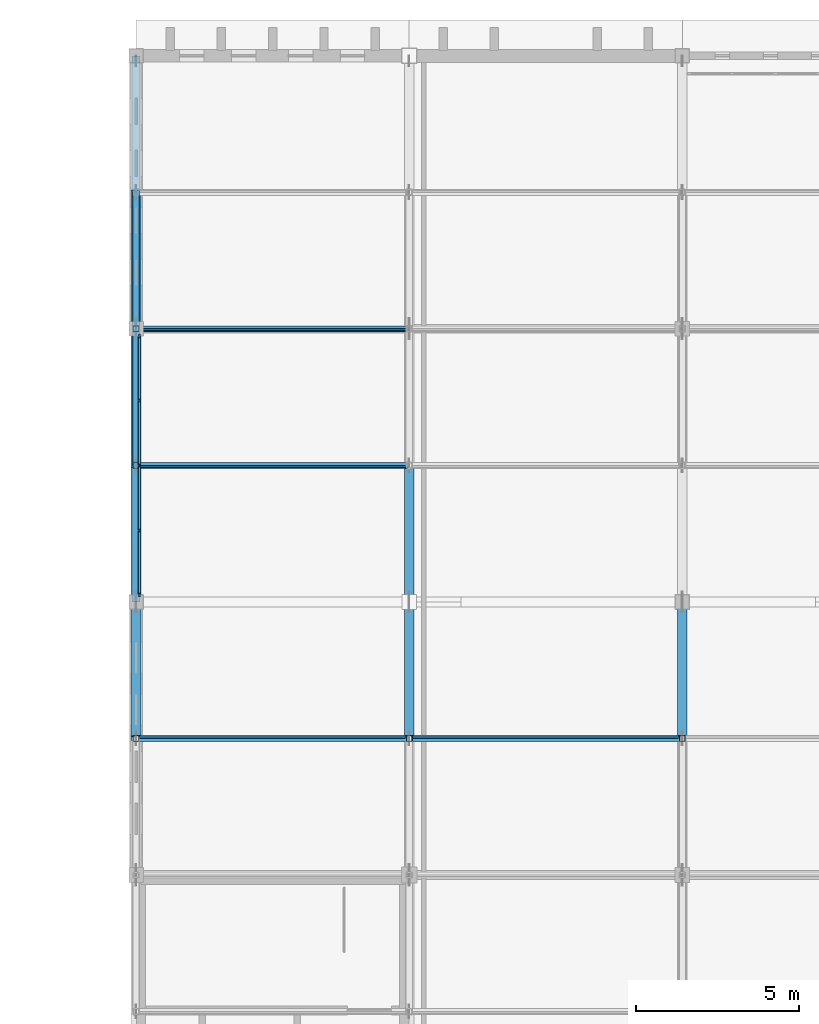
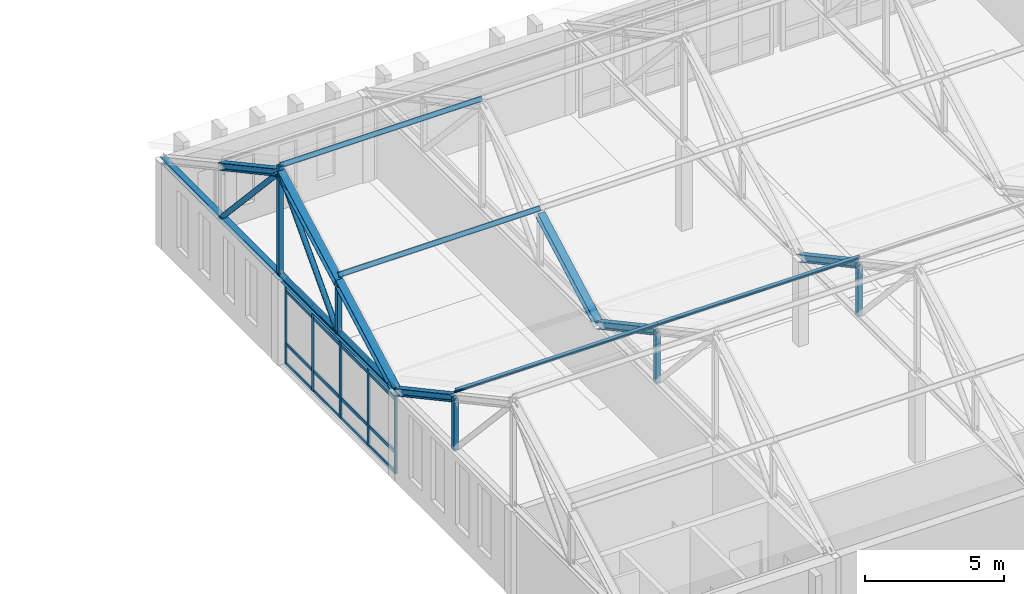
# One storey, part 28 of 110: 40 members, 1 element without a shape of its own.
"""IFC4 building model written with IfcOpenShell, lengths in metres."""

from ifc_helpers import new_model, si_unit, direction, frame, origin, origin_2d, place, context, subcontext, project, spatial, rectangle, hollow_rectangle, hollow_circle, i_section, extrude, material, layer, layer_set, material_profile, profile_set, type_object, element, aggregate, save


model = new_model("IFC4")

# Units and contexts
model_context = context("Model", 3, precision=1e-05, world=origin(), true_north=direction((0.0, 1.0)))
body_context = subcontext(model_context, "Body", "Model", "MODEL_VIEW")
ifc_project = project(units=[si_unit("LENGTHUNIT", "METRE"), si_unit("AREAUNIT", "SQUARE_METRE"), si_unit("VOLUMEUNIT", "CUBIC_METRE"), si_unit("PLANEANGLEUNIT", "RADIAN"), si_unit("MASSUNIT", "GRAM", prefix="KILO")], contexts=[model_context])

# Site, building, storey
site_placement = place(None, origin())
site = spatial("IfcSite", under=ifc_project, at=site_placement, CompositionType="ELEMENT")
building_placement = place(site_placement, origin())
building = spatial("IfcBuilding", under=site, at=building_placement, Name="Kveldsbrygga Polytechnic", CompositionType="ELEMENT")
storey_placement = place(building_placement, frame((0.0, 0.0, 9.860107421875)))
storey = spatial("IfcBuildingStorey", under=building, at=storey_placement, Name="L02", CompositionType="ELEMENT", Elevation=9.860107421875)

# Curtain wall, members
ifc_material_1 = material(Name="Anodised aluminium AW-6060", Category="aluminium")
ifc_layer = layer(ifc_material_1, 0.199951171875)
ifc_layer_set = layer_set([ifc_layer], Name="Anodised aluminium AW-6060")
curtain_wall_type = type_object("IfcCurtainWallType", Name="CW-LANC-E", PredefinedType="USERDEFINED", material=ifc_layer_set)
curtain_wall_placement = place(storey_placement, origin())
curtain_wall = element("IfcCurtainWall", 1, at=curtain_wall_placement, inside=storey, type_object=curtain_wall_type, Name="Curtain Wall CW-L02-Y-05-12", ObjectType="UNITISED CURTAIN WALL", PredefinedType="USERDEFINED")
ifc_material_profile_1 = material_profile(ifc_material_1, rectangle(XDim=0.06005859375, YDim=0.139892578125, at=origin_2d()), Name="ALU 60x140")
ifc_profile_set_1 = profile_set([ifc_material_profile_1], Name="Anodised aluminium AW-6060")
member_type_1 = type_object("IfcMemberType", Name="CW-MUL-140", PredefinedType="MULLION", material=ifc_profile_set_1)
member_1_placement = place(storey_placement, frame((42.10009765625, 101.02490234375, 0.0), z_axis=(0.0, 0.0, 1.0), x_axis=(-1.0, 0.0, 0.0)))
member_1 = element("IfcMember", 2, at=member_1_placement, type_object=member_type_1, Name="CW-05 mullion 1", PredefinedType="MULLION", context=body_context, shape_type="SweptSolid", body=[
    extrude(rectangle(XDim=0.06005859375, YDim=0.139892578125, at=origin_2d()), origin(), (0.0, 0.0, 1.0), 3.77978515625),
])
member_2_placement = place(storey_placement, frame((42.10009765625, 102.99365234375, 0.0), z_axis=(0.0, 0.0, 1.0), x_axis=(-1.0, 0.0, 0.0)))
member_2 = element("IfcMember", 3, at=member_2_placement, type_object=member_type_1, Name="CW-05 mullion 2", PredefinedType="MULLION", context=body_context, shape_type="SweptSolid", body=[
    extrude(rectangle(XDim=0.06005859375, YDim=0.139892578125, at=origin_2d()), origin(), (0.0, 0.0, 1.0), 3.77978515625),
])
member_3_placement = place(storey_placement, frame((42.10009765625, 104.992431640625, 0.0), z_axis=(0.0, 0.0, 1.0), x_axis=(-1.0, 0.0, 0.0)))
member_3 = element("IfcMember", 4, at=member_3_placement, type_object=member_type_1, Name="CW-05 mullion 3", PredefinedType="MULLION", context=body_context, shape_type="SweptSolid", body=[
    extrude(rectangle(XDim=0.06005859375, YDim=0.139892578125, at=origin_2d()), origin(), (0.0, 0.0, 1.0), 3.77978515625),
])
member_4_placement = place(storey_placement, frame((42.10009765625, 106.9912109375, 0.0), z_axis=(0.0, 0.0, 1.0), x_axis=(-1.0, 0.0, 0.0)))
member_4 = element("IfcMember", 5, at=member_4_placement, type_object=member_type_1, Name="CW-05 mullion 4", PredefinedType="MULLION", context=body_context, shape_type="SweptSolid", body=[
    extrude(rectangle(XDim=0.06005859375, YDim=0.139892578125, at=origin_2d()), origin(), (0.0, 0.0, 1.0), 3.77978515625),
])
member_5_placement = place(storey_placement, frame((42.10009765625, 108.9599609375, 0.0), z_axis=(0.0, 0.0, 1.0), x_axis=(-1.0, 0.0, 0.0)))
member_5 = element("IfcMember", 6, at=member_5_placement, type_object=member_type_1, Name="CW-05 mullion 5", PredefinedType="MULLION", context=body_context, shape_type="SweptSolid", body=[
    extrude(rectangle(XDim=0.06005859375, YDim=0.139892578125, at=origin_2d()), origin(), (0.0, 0.0, 1.0), 3.77978515625),
])
ifc_material_profile_2 = material_profile(ifc_material_1, rectangle(XDim=0.06005859375, YDim=0.14990234375, at=origin_2d()), Name="ALU 60x150")
ifc_profile_set_2 = profile_set([ifc_material_profile_2], Name="Anodised aluminium AW-6060")
member_type_2 = type_object("IfcMemberType", Name="CW-TRN-150", PredefinedType="USERDEFINED", material=ifc_profile_set_2)
member_6_placement = place(storey_placement, frame((42.10009765625, 101.054931640625, 0.02978515625), z_axis=(0.0, 1.0, 0.0), x_axis=(-1.0, 0.0, 0.0)))
member_6 = element("IfcMember", 7, at=member_6_placement, type_object=member_type_2, Name="CW-05 transom 1.1", ObjectType="TRANSOM", PredefinedType="USERDEFINED", context=body_context, shape_type="SweptSolid", body=[
    extrude(rectangle(XDim=0.06005859375, YDim=0.14990234375, at=origin_2d()), origin(), (0.0, 0.0, 1.0), 1.908935546875),
])
member_7_placement = place(storey_placement, frame((42.10009765625, 101.054931640625, 0.89990234375), z_axis=(0.0, 1.0, 0.0), x_axis=(-1.0, 0.0, 0.0)))
member_7 = element("IfcMember", 8, at=member_7_placement, type_object=member_type_2, Name="CW-05 transom 1.2", ObjectType="TRANSOM", PredefinedType="USERDEFINED", context=body_context, shape_type="SweptSolid", body=[
    extrude(rectangle(XDim=0.06005859375, YDim=0.14990234375, at=origin_2d()), origin(), (0.0, 0.0, 1.0), 1.908935546875),
])
member_8_placement = place(storey_placement, frame((42.10009765625, 101.054931640625, 3.22998046875), z_axis=(0.0, 1.0, 0.0), x_axis=(-1.0, 0.0, 0.0)))
member_8 = element("IfcMember", 9, at=member_8_placement, type_object=member_type_2, Name="CW-05 transom 1.3", ObjectType="TRANSOM", PredefinedType="USERDEFINED", context=body_context, shape_type="SweptSolid", body=[
    extrude(rectangle(XDim=0.06005859375, YDim=0.14990234375, at=origin_2d()), origin(), (0.0, 0.0, 1.0), 1.908935546875),
])
member_9_placement = place(storey_placement, frame((42.10009765625, 101.054931640625, 3.75), z_axis=(0.0, 1.0, 0.0), x_axis=(-1.0, 0.0, 0.0)))
member_9 = element("IfcMember", 10, at=member_9_placement, type_object=member_type_2, Name="CW-05 transom 1.4", ObjectType="TRANSOM", PredefinedType="USERDEFINED", context=body_context, shape_type="SweptSolid", body=[
    extrude(rectangle(XDim=0.06005859375, YDim=0.14990234375, at=origin_2d()), origin(), (0.0, 0.0, 1.0), 1.908935546875),
])
member_10_placement = place(storey_placement, frame((42.10009765625, 103.023681640625, 0.02978515625), z_axis=(0.0, 1.0, 0.0), x_axis=(-1.0, 0.0, 0.0)))
member_10 = element("IfcMember", 11, at=member_10_placement, type_object=member_type_2, Name="CW-05 transom 2.1", ObjectType="TRANSOM", PredefinedType="USERDEFINED", context=body_context, shape_type="SweptSolid", body=[
    extrude(rectangle(XDim=0.06005859375, YDim=0.14990234375, at=origin_2d()), origin(), (0.0, 0.0, 1.0), 1.938720703125),
])
member_11_placement = place(storey_placement, frame((42.10009765625, 103.023681640625, 0.89990234375), z_axis=(0.0, 1.0, 0.0), x_axis=(-1.0, 0.0, 0.0)))
member_11 = element("IfcMember", 12, at=member_11_placement, type_object=member_type_2, Name="CW-05 transom 2.2", ObjectType="TRANSOM", PredefinedType="USERDEFINED", context=body_context, shape_type="SweptSolid", body=[
    extrude(rectangle(XDim=0.06005859375, YDim=0.14990234375, at=origin_2d()), origin(), (0.0, 0.0, 1.0), 1.938720703125),
])
member_12_placement = place(storey_placement, frame((42.10009765625, 103.023681640625, 3.22998046875), z_axis=(0.0, 1.0, 0.0), x_axis=(-1.0, 0.0, 0.0)))
member_12 = element("IfcMember", 13, at=member_12_placement, type_object=member_type_2, Name="CW-05 transom 2.3", ObjectType="TRANSOM", PredefinedType="USERDEFINED", context=body_context, shape_type="SweptSolid", body=[
    extrude(rectangle(XDim=0.06005859375, YDim=0.14990234375, at=origin_2d()), origin(), (0.0, 0.0, 1.0), 1.938720703125),
])
member_13_placement = place(storey_placement, frame((42.10009765625, 103.023681640625, 3.75), z_axis=(0.0, 1.0, 0.0), x_axis=(-1.0, 0.0, 0.0)))
member_13 = element("IfcMember", 14, at=member_13_placement, type_object=member_type_2, Name="CW-05 transom 2.4", ObjectType="TRANSOM", PredefinedType="USERDEFINED", context=body_context, shape_type="SweptSolid", body=[
    extrude(rectangle(XDim=0.06005859375, YDim=0.14990234375, at=origin_2d()), origin(), (0.0, 0.0, 1.0), 1.938720703125),
])
member_14_placement = place(storey_placement, frame((42.10009765625, 105.0224609375, 0.02978515625), z_axis=(0.0, 1.0, 0.0), x_axis=(-1.0, 0.0, 0.0)))
member_14 = element("IfcMember", 15, at=member_14_placement, type_object=member_type_2, Name="CW-05 transom 3.1", ObjectType="TRANSOM", PredefinedType="USERDEFINED", context=body_context, shape_type="SweptSolid", body=[
    extrude(rectangle(XDim=0.06005859375, YDim=0.14990234375, at=origin_2d()), origin(), (0.0, 0.0, 1.0), 1.938720703125),
])
member_15_placement = place(storey_placement, frame((42.10009765625, 105.0224609375, 0.89990234375), z_axis=(0.0, 1.0, 0.0), x_axis=(-1.0, 0.0, 0.0)))
member_15 = element("IfcMember", 16, at=member_15_placement, type_object=member_type_2, Name="CW-05 transom 3.2", ObjectType="TRANSOM", PredefinedType="USERDEFINED", context=body_context, shape_type="SweptSolid", body=[
    extrude(rectangle(XDim=0.06005859375, YDim=0.14990234375, at=origin_2d()), origin(), (0.0, 0.0, 1.0), 1.938720703125),
])
member_16_placement = place(storey_placement, frame((42.10009765625, 105.0224609375, 3.22998046875), z_axis=(0.0, 1.0, 0.0), x_axis=(-1.0, 0.0, 0.0)))
member_16 = element("IfcMember", 17, at=member_16_placement, type_object=member_type_2, Name="CW-05 transom 3.3", ObjectType="TRANSOM", PredefinedType="USERDEFINED", context=body_context, shape_type="SweptSolid", body=[
    extrude(rectangle(XDim=0.06005859375, YDim=0.14990234375, at=origin_2d()), origin(), (0.0, 0.0, 1.0), 1.938720703125),
])
member_17_placement = place(storey_placement, frame((42.10009765625, 105.0224609375, 3.75), z_axis=(0.0, 1.0, 0.0), x_axis=(-1.0, 0.0, 0.0)))
member_17 = element("IfcMember", 18, at=member_17_placement, type_object=member_type_2, Name="CW-05 transom 3.4", ObjectType="TRANSOM", PredefinedType="USERDEFINED", context=body_context, shape_type="SweptSolid", body=[
    extrude(rectangle(XDim=0.06005859375, YDim=0.14990234375, at=origin_2d()), origin(), (0.0, 0.0, 1.0), 1.938720703125),
])
member_18_placement = place(storey_placement, frame((42.10009765625, 107.021240234375, 0.02978515625), z_axis=(0.0, 1.0, 0.0), x_axis=(-1.0, 0.0, 0.0)))
member_18 = element("IfcMember", 19, at=member_18_placement, type_object=member_type_2, Name="CW-05 transom 4.1", ObjectType="TRANSOM", PredefinedType="USERDEFINED", context=body_context, shape_type="SweptSolid", body=[
    extrude(rectangle(XDim=0.06005859375, YDim=0.14990234375, at=origin_2d()), origin(), (0.0, 0.0, 1.0), 1.90869140625),
])
member_19_placement = place(storey_placement, frame((42.10009765625, 107.021240234375, 0.89990234375), z_axis=(0.0, 1.0, 0.0), x_axis=(-1.0, 0.0, 0.0)))
member_19 = element("IfcMember", 20, at=member_19_placement, type_object=member_type_2, Name="CW-05 transom 4.2", ObjectType="TRANSOM", PredefinedType="USERDEFINED", context=body_context, shape_type="SweptSolid", body=[
    extrude(rectangle(XDim=0.06005859375, YDim=0.14990234375, at=origin_2d()), origin(), (0.0, 0.0, 1.0), 1.90869140625),
])
member_20_placement = place(storey_placement, frame((42.10009765625, 107.021240234375, 3.22998046875), z_axis=(0.0, 1.0, 0.0), x_axis=(-1.0, 0.0, 0.0)))
member_20 = element("IfcMember", 21, at=member_20_placement, type_object=member_type_2, Name="CW-05 transom 4.3", ObjectType="TRANSOM", PredefinedType="USERDEFINED", context=body_context, shape_type="SweptSolid", body=[
    extrude(rectangle(XDim=0.06005859375, YDim=0.14990234375, at=origin_2d()), origin(), (0.0, 0.0, 1.0), 1.90869140625),
])
member_21_placement = place(storey_placement, frame((42.10009765625, 107.021240234375, 3.75), z_axis=(0.0, 1.0, 0.0), x_axis=(-1.0, 0.0, 0.0)))
member_21 = element("IfcMember", 22, at=member_21_placement, type_object=member_type_2, Name="CW-05 transom 4.4", ObjectType="TRANSOM", PredefinedType="USERDEFINED", context=body_context, shape_type="SweptSolid", body=[
    extrude(rectangle(XDim=0.06005859375, YDim=0.14990234375, at=origin_2d()), origin(), (0.0, 0.0, 1.0), 1.90869140625),
])
aggregate(curtain_wall, [member_1, member_2, member_3, member_4, member_5, member_6, member_7, member_8, member_9, member_10, member_11, member_12, member_13, member_14, member_15, member_16, member_17, member_18, member_19, member_20, member_21])

# Members
ifc_material_2 = material(Name="Steel S355", Category="steel")
ifc_material_profile_3 = material_profile(ifc_material_2, i_section(OverallWidth=0.10009765625, OverallDepth=0.199951171875, WebThickness=0.005615234375, FlangeThickness=0.008544921875, FilletRadius=0.011962890625, at=origin_2d()), Name="IPE 200")
ifc_profile_set_3 = profile_set([ifc_material_profile_3], Name="Steel S355")
member_type_3 = type_object("IfcMemberType", Name="PRL-IPE200", PredefinedType="PURLIN", material=ifc_profile_set_3)
member_22_placement = place(storey_placement, frame((42.0, 96.60009765625, 6.33349609375), z_axis=(1.0, 0.0, 0.0), x_axis=(0.0, 0.879292204483, 0.476282709256)))
element("IfcMember", 23, at=member_22_placement, inside=storey, type_object=member_type_3, Name="Roof Purlin V2L1-PRL-1-3", PredefinedType="PURLIN", context=body_context, shape_type="SweptSolid", body=[
    extrude(i_section(OverallWidth=0.10009765625, OverallDepth=0.199951171875, WebThickness=0.005615234375, FlangeThickness=0.008544921875, FilletRadius=0.011962890625, at=origin_2d()), origin(), (0.0, 0.0, 1.0), 8.39990234375),
])
member_23_placement = place(storey_placement, frame((50.39990234375, 96.60009765625, 6.33349609375), z_axis=(1.0, 0.0, 0.0), x_axis=(0.0, 0.879292204483, 0.476282709256)))
element("IfcMember", 24, at=member_23_placement, inside=storey, type_object=member_type_3, Name="Roof Purlin V2L1-PRL-2-3", PredefinedType="PURLIN", context=body_context, shape_type="SweptSolid", body=[
    extrude(i_section(OverallWidth=0.10009765625, OverallDepth=0.199951171875, WebThickness=0.005615234375, FlangeThickness=0.008544921875, FilletRadius=0.011962890625, at=origin_2d()), origin(), (0.0, 0.0, 1.0), 8.400146484375),
])
for number, where, z_axis, x_axis, name in (
    (25, (42.0, 105.0, 6.33349609375), (1.0, 0.0, 0.0), (0.0, 0.879292204483, -0.476282709256), "Roof Purlin V2L2-PRL-1-1"),
    (26, (42.0, 109.199951171875, 8.608642578125), (1.0, 0.0, 0.0), (0.0, 0.879292204483, -0.476282709256), "Roof Purlin V2L2-PRL-1-2"),
):
    element("IfcMember", number, at=place(storey_placement, frame(where, z_axis=z_axis, x_axis=x_axis)), inside=storey, type_object=member_type_3, Name=name, PredefinedType="PURLIN", context=body_context, shape_type="SweptSolid", body=[
        extrude(i_section(OverallWidth=0.10009765625, OverallDepth=0.199951171875, WebThickness=0.005615234375, FlangeThickness=0.008544921875, FilletRadius=0.011962890625, at=origin_2d()), origin(), (0.0, 0.0, 1.0), 8.39990234375),
    ])
ifc_material_profile_4 = material_profile(ifc_material_2, i_section(OverallWidth=0.239990234375, OverallDepth=0.22998046875, WebThickness=0.007568359375, FlangeThickness=0.011962890625, FilletRadius=0.02099609375, at=origin_2d()), Name="HEA 240")
ifc_profile_set_4 = profile_set([ifc_material_profile_4], Name="Steel S355")
member_type_4 = type_object("IfcMemberType", Name="TR-BOT-HEA240", PredefinedType="CHORD", material=ifc_profile_set_4)
member_24_placement = place(storey_placement, frame((42.0, 100.800048828125, 3.77978515625), z_axis=(0.0, 1.0, 0.0), x_axis=(-1.0, 0.0, 0.0)))
element("IfcMember", 27, at=member_24_placement, inside=storey, type_object=member_type_4, Name="Truss Bottom Chord V2L2-T01-BC-1", PredefinedType="CHORD", context=body_context, shape_type="SweptSolid", body=[
    extrude(i_section(OverallWidth=0.239990234375, OverallDepth=0.22998046875, WebThickness=0.007568359375, FlangeThickness=0.011962890625, FilletRadius=0.02099609375, at=origin_2d()), origin(), (0.0, 0.0, 1.0), 16.800048828125),
])
ifc_material_profile_5 = material_profile(ifc_material_2, hollow_circle(Radius=0.109619140625, WallThickness=0.012451171875, at=origin_2d()), Name="CHS 219.1x12.5")
ifc_profile_set_5 = profile_set([ifc_material_profile_5], Name="Steel S355")
member_type_5 = type_object("IfcMemberType", Name="TR-DIAG-CHS219", PredefinedType="BRACE", material=ifc_profile_set_5)
for number, where, z_axis, x_axis, name in (
    (28, (42.0, 105.0, 3.77978515625), (0.0, 0.678271914864, 0.734811002576), (-1.0, 0.0, 0.0), "Truss Diagonal V2L2-T01-DG-2"),
    (29, (42.0, 109.199951171875, 8.329833984375), (0.0, 0.678271914864, -0.734811002576), (-1.0, 0.0, 0.0), "Truss Diagonal V2L2-T01-DG-3"),
):
    element("IfcMember", number, at=place(storey_placement, frame(where, z_axis=z_axis, x_axis=x_axis)), inside=storey, type_object=member_type_5, Name=name, PredefinedType="BRACE", context=body_context, shape_type="SweptSolid", body=[
        extrude(hollow_circle(Radius=0.109619140625, WallThickness=0.012451171875, at=origin_2d()), origin(), (0.0, 0.0, 1.0), 6.192138671875),
    ])
ifc_material_profile_6 = material_profile(ifc_material_2, hollow_rectangle(XDim=0.179931640625, YDim=0.179931640625, WallThickness=0.010009765625, at=origin_2d()), Name="SHS 180x180x10.0")
ifc_profile_set_6 = profile_set([ifc_material_profile_6], Name="Steel S355")
member_type_6 = type_object("IfcMemberType", Name="TR-POST-SHS180", PredefinedType="STRUT", material=ifc_profile_set_6)
for number, where, z_axis, x_axis, name in (
    (30, (42.0, 96.60009765625, 3.77978515625), (0.0, 0.0, 1.0), (1.0, 0.0, 0.0), "Truss Vertical V2L1-T01-VT-3"),
    (31, (50.39990234375, 96.60009765625, 3.77978515625), (0.0, 0.0, 1.0), (1.0, 0.0, 0.0), "Truss Vertical V2L1-T02-VT-3"),
    (32, (58.800048828125, 96.60009765625, 3.77978515625), (0.0, 0.0, 1.0), (1.0, 0.0, 0.0), "Truss Vertical V2L1-T03-VT-3"),
    (33, (42.0, 105.0, 3.77978515625), (0.0, 0.0, 1.0), (1.0, 0.0, 0.0), "Truss Vertical V2L2-T01-VT-1"),
):
    element("IfcMember", number, at=place(storey_placement, frame(where, z_axis=z_axis, x_axis=x_axis)), inside=storey, type_object=member_type_6, Name=name, PredefinedType="STRUT", context=body_context, shape_type="SweptSolid", body=[
        extrude(hollow_rectangle(XDim=0.179931640625, YDim=0.179931640625, WallThickness=0.010009765625, at=origin_2d()), origin(), (0.0, 0.0, 1.0), 2.275146484375),
    ])
member_25_placement = place(storey_placement, frame((42.0, 109.199951171875, 3.77978515625), z_axis=(0.0, 0.0, 1.0), x_axis=(1.0, 0.0, 0.0)))
element("IfcMember", 34, at=member_25_placement, inside=storey, type_object=member_type_6, Name="Truss Vertical V2L2-T01-VT-2", PredefinedType="STRUT", context=body_context, shape_type="SweptSolid", body=[
    extrude(hollow_rectangle(XDim=0.179931640625, YDim=0.179931640625, WallThickness=0.010009765625, at=origin_2d()), origin(), (0.0, 0.0, 1.0), 4.828857421875),
])
ifc_material_profile_7 = material_profile(ifc_material_2, i_section(OverallWidth=0.300048828125, OverallDepth=0.2900390625, WebThickness=0.008544921875, FlangeThickness=0.013916015625, FilletRadius=0.027099609375, at=origin_2d()), Name="HEA 300")
ifc_profile_set_7 = profile_set([ifc_material_profile_7], Name="Steel S355")
member_type_7 = type_object("IfcMemberType", Name="TR-TOP-HEA300", PredefinedType="CHORD", material=ifc_profile_set_7)
for number, where, z_axis, x_axis, name in (
    (35, (42.0, 96.60009765625, 6.054931640625), (0.0, 0.879276804059, -0.476311139744), (-1.0, 0.0, 0.0), "Truss Top Chord V2L1-T01-TC-4"),
    (36, (50.39990234375, 96.60009765625, 6.054931640625), (0.0, 0.879276804059, -0.476311139744), (-1.0, 0.0, 0.0), "Truss Top Chord V2L1-T02-TC-4"),
    (37, (58.800048828125, 96.60009765625, 6.054931640625), (0.0, 0.879276804059, -0.476311139744), (-1.0, 0.0, 0.0), "Truss Top Chord V2L1-T03-TC-4"),
    (38, (42.0, 100.800048828125, 3.77978515625), (0.0, 0.879276804059, 0.476311139744), (-1.0, 0.0, 0.0), "Truss Top Chord V2L2-T01-TC-1"),
):
    element("IfcMember", number, at=place(storey_placement, frame(where, z_axis=z_axis, x_axis=x_axis)), inside=storey, type_object=member_type_7, Name=name, PredefinedType="CHORD", context=body_context, shape_type="SweptSolid", body=[
        extrude(i_section(OverallWidth=0.300048828125, OverallDepth=0.2900390625, WebThickness=0.008544921875, FlangeThickness=0.013916015625, FilletRadius=0.027099609375, at=origin_2d()), origin(), (0.0, 0.0, 1.0), 4.776611328125),
    ])
for number, where, z_axis, x_axis, name in (
    (39, (42.0, 105.0, 6.054931640625), (0.0, 0.879298209803, 0.47627162233), (-1.0, 0.0, 0.0), "Truss Top Chord V2L2-T01-TC-2"),
    (40, (42.0, 109.199951171875, 8.329833984375), (0.0, 0.879298209803, -0.47627162233), (-1.0, 0.0, 0.0), "Truss Top Chord V2L2-T01-TC-3"),
):
    element("IfcMember", number, at=place(storey_placement, frame(where, z_axis=z_axis, x_axis=x_axis)), inside=storey, type_object=member_type_7, Name=name, PredefinedType="CHORD", context=body_context, shape_type="SweptSolid", body=[
        extrude(i_section(OverallWidth=0.300048828125, OverallDepth=0.2900390625, WebThickness=0.008544921875, FlangeThickness=0.013916015625, FilletRadius=0.027099609375, at=origin_2d()), origin(), (0.0, 0.0, 1.0), 4.7763671875),
    ])
member_26_placement = place(storey_placement, frame((50.39990234375, 100.800048828125, 3.77978515625), z_axis=(0.0, 0.879276804059, 0.476311139744), x_axis=(-1.0, 0.0, 0.0)))
element("IfcMember", 41, at=member_26_placement, inside=storey, type_object=member_type_7, Name="Truss Top Chord V2L2-T02-TC-1", PredefinedType="CHORD", context=body_context, shape_type="SweptSolid", body=[
    extrude(i_section(OverallWidth=0.300048828125, OverallDepth=0.2900390625, WebThickness=0.008544921875, FlangeThickness=0.013916015625, FilletRadius=0.027099609375, at=origin_2d()), origin(), (0.0, 0.0, 1.0), 4.776611328125),
])

save(model, "model.ifc")
